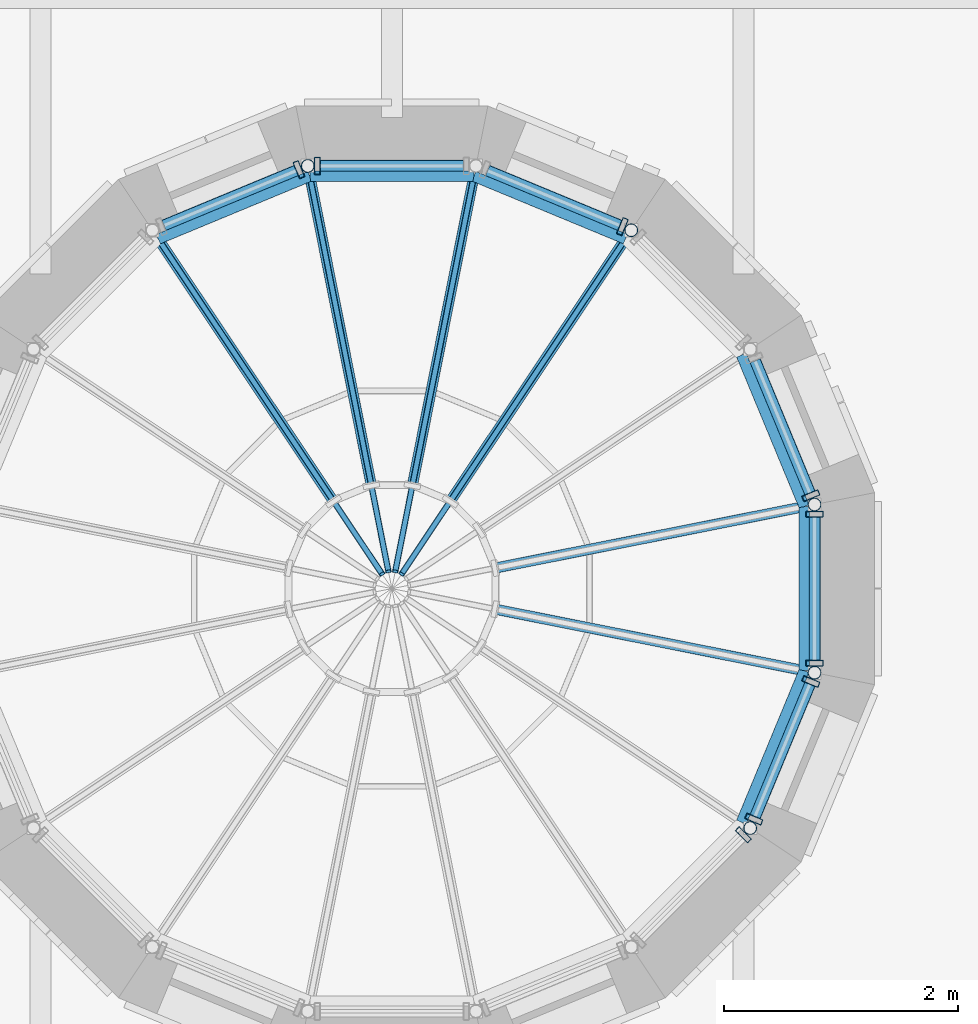
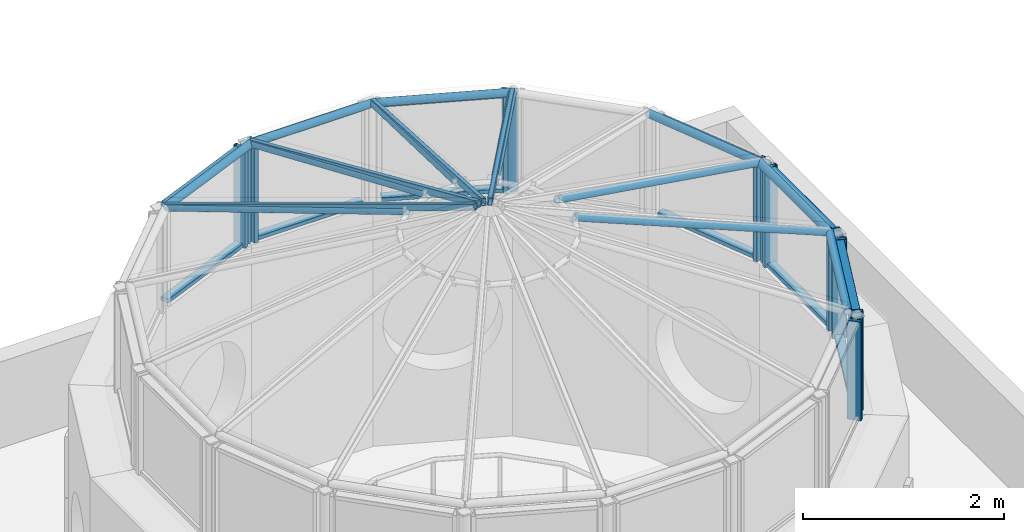
# One storey, part 18 of 98: 42 members, 7 elements without a shape of their own.
"""IFC4 building model written with IfcOpenShell, lengths in metres."""

from ifc_helpers import new_model, si_unit, direction, frame, origin, origin_2d, place, context, subcontext, project, spatial, hollow_rectangle, hollow_circle, extrude, material, material_profile, profile_set, type_object, element, aggregate, save


model = new_model("IFC4")

# Units and contexts
model_context = context("Model", 3, precision=1e-05, world=origin(), true_north=direction((0.0, 1.0)))
body_context = subcontext(model_context, "Body", "Model", "MODEL_VIEW")
ifc_project = project(units=[si_unit("LENGTHUNIT", "METRE"), si_unit("AREAUNIT", "SQUARE_METRE"), si_unit("VOLUMEUNIT", "CUBIC_METRE"), si_unit("PLANEANGLEUNIT", "RADIAN"), si_unit("MASSUNIT", "GRAM", prefix="KILO")], contexts=[model_context])

# Site, building, storey
site_placement = place(None, origin())
site = spatial("IfcSite", under=ifc_project, at=site_placement, CompositionType="ELEMENT")
building_placement = place(site_placement, origin())
building = spatial("IfcBuilding", under=site, at=building_placement, Name="Sun Court Science Centre", CompositionType="ELEMENT")
storey_placement = place(building_placement, frame((0.0, 0.0, 15.75)))
storey = spatial("IfcBuildingStorey", under=building, at=storey_placement, Name="L03", CompositionType="ELEMENT", Elevation=15.75)

# Curtain wall, member
ifc_material_1 = material(Name="Aluminium EN AW-6063 T6", Category="aluminium")
curtain_wall_type = type_object("IfcCurtainWallType", Name="Lantern clerestory curtain wall 1500", PredefinedType="NOTDEFINED", material=ifc_material_1)
curtain_wall_1_placement = place(storey_placement, origin())
curtain_wall_1 = element("IfcCurtainWall", 1, at=curtain_wall_1_placement, inside=storey, type_object=curtain_wall_type, Name="Curtain wall V2 C6 clerestory L03 01", PredefinedType="NOTDEFINED")
ifc_material_2 = material(Name="Aluminium EN AW-6063 T6", Category="aluminium")
ifc_material_profile_1 = material_profile(ifc_material_2, hollow_rectangle(XDim=0.050048828125, YDim=0.14990234375, WallThickness=0.00390625, InnerFilletRadius=0.00390625, OuterFilletRadius=0.006103515625, at=origin_2d()), Name="AL 50x150x4")
ifc_profile_set_1 = profile_set([ifc_material_profile_1], Name="Aluminium EN AW-6063 T6")
member_type_1 = type_object("IfcMemberType", Name="Curtain wall mullion AL 50x150", PredefinedType="MULLION", material=ifc_profile_set_1)
member_1_placement = place(storey_placement, frame((69.576171875, 23.29345703125, 3.050048828125), z_axis=(0.0, 0.0, 1.0), x_axis=(0.382683432365, -0.923879532511, 0.0)))
member_1 = element("IfcMember", 2, at=member_1_placement, type_object=member_type_1, Name="CW4-81 mullion 2", PredefinedType="MULLION", context=body_context, shape_type="SweptSolid", body=[
    extrude(hollow_rectangle(XDim=0.050048828125, YDim=0.14990234375, WallThickness=0.00390625, InnerFilletRadius=0.00390625, OuterFilletRadius=0.006103515625, at=origin_2d()), origin(), (0.0, 0.0, 1.0), 1.199951171875),
])

curtain_wall_2_placement = place(storey_placement, origin())
curtain_wall_2 = element("IfcCurtainWall", 3, at=curtain_wall_2_placement, inside=storey, type_object=curtain_wall_type, Name="Curtain wall V2 C6 clerestory L03 03", PredefinedType="NOTDEFINED")
member_2_placement = place(storey_placement, frame((67.967529296875, 25.58984375, 3.050048828125), z_axis=(0.0, 0.0, 1.0), x_axis=(0.923879532511, -0.382683432365, 0.0)))
member_2 = element("IfcMember", 4, at=member_2_placement, type_object=member_type_1, Name="CW4-83 mullion 2", PredefinedType="MULLION", context=body_context, shape_type="SweptSolid", body=[
    extrude(hollow_rectangle(XDim=0.050048828125, YDim=0.14990234375, WallThickness=0.00390625, InnerFilletRadius=0.00390625, OuterFilletRadius=0.006103515625, at=origin_2d()), origin(), (0.0, 0.0, 1.0), 1.199951171875),
])

curtain_wall_3_placement = place(storey_placement, origin())
curtain_wall_3 = element("IfcCurtainWall", 5, at=curtain_wall_3_placement, inside=storey, type_object=curtain_wall_type, Name="Curtain wall V2 C6 clerestory L03 04", PredefinedType="NOTDEFINED")
member_3_placement = place(storey_placement, frame((65.364501953125, 26.107666015625, 3.050048828125), z_axis=(0.0, 0.0, 1.0), x_axis=(1.0, 0.0, 0.0)))
member_3 = element("IfcMember", 6, at=member_3_placement, type_object=member_type_1, Name="CW4-84 mullion 1", PredefinedType="MULLION", context=body_context, shape_type="SweptSolid", body=[
    extrude(hollow_rectangle(XDim=0.050048828125, YDim=0.14990234375, WallThickness=0.00390625, InnerFilletRadius=0.00390625, OuterFilletRadius=0.006103515625, at=origin_2d()), origin(), (0.0, 0.0, 1.0), 1.199951171875),
])

curtain_wall_4_placement = place(storey_placement, origin())
curtain_wall_4 = element("IfcCurtainWall", 7, at=curtain_wall_4_placement, inside=storey, type_object=curtain_wall_type, Name="Curtain wall V2 C6 clerestory L03 05", PredefinedType="NOTDEFINED")
member_4_placement = place(storey_placement, frame((65.20654296875, 26.076171875, 3.050048828125), z_axis=(0.0, 0.0, 1.0), x_axis=(0.923879532511, 0.382683432365, 0.0)))
member_4 = element("IfcMember", 8, at=member_4_placement, type_object=member_type_1, Name="CW4-85 mullion 2", PredefinedType="MULLION", context=body_context, shape_type="SweptSolid", body=[
    extrude(hollow_rectangle(XDim=0.050048828125, YDim=0.14990234375, WallThickness=0.00390625, InnerFilletRadius=0.00390625, OuterFilletRadius=0.006103515625, at=origin_2d()), origin(), (0.0, 0.0, 1.0), 1.199951171875),
])

curtain_wall_5_placement = place(storey_placement, origin())
curtain_wall_5 = element("IfcCurtainWall", 9, at=curtain_wall_5_placement, inside=storey, type_object=curtain_wall_type, Name="Curtain wall V2 C6 clerestory L03 14", PredefinedType="NOTDEFINED")
member_5_placement = place(storey_placement, frame((69.000244140625, 20.3984375, 3.050048828125), z_axis=(0.0, 0.0, 1.0), x_axis=(-0.707106781187, -0.707106781187, 0.0)))
member_5 = element("IfcMember", 10, at=member_5_placement, type_object=member_type_1, Name="CW4-94 mullion 1", PredefinedType="MULLION", context=body_context, shape_type="SweptSolid", body=[
    extrude(hollow_rectangle(XDim=0.050048828125, YDim=0.14990234375, WallThickness=0.00390625, InnerFilletRadius=0.00390625, OuterFilletRadius=0.006103515625, at=origin_2d()), origin(), (0.0, 0.0, 1.0), 1.199951171875),
])
aggregate(curtain_wall_5, [member_5])

# Curtain wall, members
curtain_wall_6_placement = place(storey_placement, origin())
curtain_wall_6 = element("IfcCurtainWall", 11, at=curtain_wall_6_placement, inside=storey, type_object=curtain_wall_type, Name="Curtain wall V2 C6 clerestory L03 15", PredefinedType="NOTDEFINED")
member_6_placement = place(storey_placement, frame((69.08984375, 20.532470703125, 3.050048828125), z_axis=(0.0, 0.0, 1.0), x_axis=(-0.382683432365, -0.923879532511, 0.0)))
member_6 = element("IfcMember", 12, at=member_6_placement, type_object=member_type_1, Name="CW4-95 mullion 2", PredefinedType="MULLION", context=body_context, shape_type="SweptSolid", body=[
    extrude(hollow_rectangle(XDim=0.050048828125, YDim=0.14990234375, WallThickness=0.00390625, InnerFilletRadius=0.00390625, OuterFilletRadius=0.006103515625, at=origin_2d()), origin(), (0.0, 0.0, 1.0), 1.199951171875),
])
member_7_placement = place(storey_placement, frame((69.576171875, 21.70654296875, 3.050048828125), z_axis=(0.0, 0.0, 1.0), x_axis=(-0.382683432365, -0.923879532511, 0.0)))
member_7 = element("IfcMember", 13, at=member_7_placement, type_object=member_type_1, Name="CW4-95 mullion 1", PredefinedType="MULLION", context=body_context, shape_type="SweptSolid", body=[
    extrude(hollow_rectangle(XDim=0.050048828125, YDim=0.14990234375, WallThickness=0.00390625, InnerFilletRadius=0.00390625, OuterFilletRadius=0.006103515625, at=origin_2d()), origin(), (0.0, 0.0, 1.0), 1.199951171875),
])

curtain_wall_7_placement = place(storey_placement, origin())
curtain_wall_7 = element("IfcCurtainWall", 14, at=curtain_wall_7_placement, inside=storey, type_object=curtain_wall_type, Name="Curtain wall V2 C6 clerestory L03 16", PredefinedType="NOTDEFINED")
member_8_placement = place(storey_placement, frame((69.607666015625, 21.864501953125, 3.050048828125), z_axis=(0.0, 0.0, 1.0), x_axis=(0.0, -1.0, 0.0)))
member_8 = element("IfcMember", 15, at=member_8_placement, type_object=member_type_1, Name="CW4-96 mullion 2", PredefinedType="MULLION", context=body_context, shape_type="SweptSolid", body=[
    extrude(hollow_rectangle(XDim=0.050048828125, YDim=0.14990234375, WallThickness=0.00390625, InnerFilletRadius=0.00390625, OuterFilletRadius=0.006103515625, at=origin_2d()), origin(), (0.0, 0.0, 1.0), 1.199951171875),
])
member_9_placement = place(storey_placement, frame((69.607666015625, 23.135498046875, 3.050048828125), z_axis=(0.0, 0.0, 1.0), x_axis=(0.0, -1.0, 0.0)))
member_9 = element("IfcMember", 16, at=member_9_placement, type_object=member_type_1, Name="CW4-96 mullion 1", PredefinedType="MULLION", context=body_context, shape_type="SweptSolid", body=[
    extrude(hollow_rectangle(XDim=0.050048828125, YDim=0.14990234375, WallThickness=0.00390625, InnerFilletRadius=0.00390625, OuterFilletRadius=0.006103515625, at=origin_2d()), origin(), (0.0, 0.0, 1.0), 1.199951171875),
])

# Member
ifc_material_3 = material(Name="Aluminium EN AW-6063 T6", Category="aluminium")
ifc_material_profile_2 = material_profile(ifc_material_3, hollow_rectangle(XDim=0.050048828125, YDim=0.10009765625, WallThickness=0.00390625, InnerFilletRadius=0.00390625, OuterFilletRadius=0.006103515625, at=origin_2d()), Name="AL 50x100x4")
ifc_profile_set_2 = profile_set([ifc_material_profile_2], Name="Aluminium EN AW-6063 T6")
member_type_2 = type_object("IfcMemberType", Name="Curtain wall transom AL 50x100", PredefinedType="USERDEFINED", material=ifc_profile_set_2)
member_10_placement = place(storey_placement, frame((69.099365234375, 24.444580078125, 3.074951171875), z_axis=(0.38274032778, -0.923855963606, 0.0), x_axis=(0.0, 0.0, 1.0)))
member_10 = element("IfcMember", 17, at=member_10_placement, type_object=member_type_2, Name="CW4-81 transom 1.1", ObjectType="TRANSOM", PredefinedType="USERDEFINED", context=body_context, shape_type="SweptSolid", body=[
    extrude(hollow_rectangle(XDim=0.050048828125, YDim=0.10009765625, WallThickness=0.00390625, InnerFilletRadius=0.00390625, OuterFilletRadius=0.006103515625, at=origin_2d()), origin(), (0.0, 0.0, 1.0), 1.220947265625),
])

member_11_placement = place(storey_placement, frame((69.099365234375, 24.444580078125, 4.22509765625), z_axis=(0.38274032778, -0.923855963606, 0.0), x_axis=(0.0, 0.0, 1.0)))
member_11 = element("IfcMember", 18, at=member_11_placement, type_object=member_type_2, Name="CW4-81 transom 1.2", ObjectType="TRANSOM", PredefinedType="USERDEFINED", context=body_context, shape_type="SweptSolid", body=[
    extrude(hollow_rectangle(XDim=0.050048828125, YDim=0.10009765625, WallThickness=0.00390625, InnerFilletRadius=0.00390625, OuterFilletRadius=0.006103515625, at=origin_2d()), origin(), (0.0, 0.0, 1.0), 1.220947265625),
])

aggregate(curtain_wall_1, [member_1, member_10, member_11])

member_12_placement = place(storey_placement, frame((66.816650390625, 26.066650390625, 3.074951171875), z_axis=(0.923855963606, -0.38274032778, 0.0), x_axis=(0.0, 0.0, 1.0)))
member_12 = element("IfcMember", 19, at=member_12_placement, type_object=member_type_2, Name="CW4-83 transom 1.1", ObjectType="TRANSOM", PredefinedType="USERDEFINED", context=body_context, shape_type="SweptSolid", body=[
    extrude(hollow_rectangle(XDim=0.050048828125, YDim=0.10009765625, WallThickness=0.00390625, InnerFilletRadius=0.00390625, OuterFilletRadius=0.006103515625, at=origin_2d()), origin(), (0.0, 0.0, 1.0), 1.220947265625),
])

member_13_placement = place(storey_placement, frame((66.816650390625, 26.066650390625, 4.22509765625), z_axis=(0.923855963606, -0.38274032778, 0.0), x_axis=(0.0, 0.0, 1.0)))
member_13 = element("IfcMember", 20, at=member_13_placement, type_object=member_type_2, Name="CW4-83 transom 1.2", ObjectType="TRANSOM", PredefinedType="USERDEFINED", context=body_context, shape_type="SweptSolid", body=[
    extrude(hollow_rectangle(XDim=0.050048828125, YDim=0.10009765625, WallThickness=0.00390625, InnerFilletRadius=0.00390625, OuterFilletRadius=0.006103515625, at=origin_2d()), origin(), (0.0, 0.0, 1.0), 1.220947265625),
])

aggregate(curtain_wall_2, [member_2, member_12, member_13])

member_14_placement = place(storey_placement, frame((65.3896484375, 26.107666015625, 3.074951171875), z_axis=(1.0, 0.0, 0.0), x_axis=(0.0, 0.0, 1.0)))
member_14 = element("IfcMember", 21, at=member_14_placement, type_object=member_type_2, Name="CW4-84 transom 1.1", ObjectType="TRANSOM", PredefinedType="USERDEFINED", context=body_context, shape_type="SweptSolid", body=[
    extrude(hollow_rectangle(XDim=0.050048828125, YDim=0.10009765625, WallThickness=0.00390625, InnerFilletRadius=0.00390625, OuterFilletRadius=0.006103515625, at=origin_2d()), origin(), (0.0, 0.0, 1.0), 1.220703125),
])

member_15_placement = place(storey_placement, frame((65.3896484375, 26.107666015625, 4.22509765625), z_axis=(1.0, 0.0, 0.0), x_axis=(0.0, 0.0, 1.0)))
member_15 = element("IfcMember", 22, at=member_15_placement, type_object=member_type_2, Name="CW4-84 transom 1.2", ObjectType="TRANSOM", PredefinedType="USERDEFINED", context=body_context, shape_type="SweptSolid", body=[
    extrude(hollow_rectangle(XDim=0.050048828125, YDim=0.10009765625, WallThickness=0.00390625, InnerFilletRadius=0.00390625, OuterFilletRadius=0.006103515625, at=origin_2d()), origin(), (0.0, 0.0, 1.0), 1.220703125),
])

aggregate(curtain_wall_3, [member_3, member_14, member_15])

member_16_placement = place(storey_placement, frame((64.055419921875, 25.599365234375, 3.074951171875), z_axis=(0.923855963606, 0.38274032778, 0.0), x_axis=(0.0, 0.0, 1.0)))
member_16 = element("IfcMember", 23, at=member_16_placement, type_object=member_type_2, Name="CW4-85 transom 1.1", ObjectType="TRANSOM", PredefinedType="USERDEFINED", context=body_context, shape_type="SweptSolid", body=[
    extrude(hollow_rectangle(XDim=0.050048828125, YDim=0.10009765625, WallThickness=0.00390625, InnerFilletRadius=0.00390625, OuterFilletRadius=0.006103515625, at=origin_2d()), origin(), (0.0, 0.0, 1.0), 1.220947265625),
])

member_17_placement = place(storey_placement, frame((64.055419921875, 25.599365234375, 4.22509765625), z_axis=(0.923855963606, 0.38274032778, 0.0), x_axis=(0.0, 0.0, 1.0)))
member_17 = element("IfcMember", 24, at=member_17_placement, type_object=member_type_2, Name="CW4-85 transom 1.2", ObjectType="TRANSOM", PredefinedType="USERDEFINED", context=body_context, shape_type="SweptSolid", body=[
    extrude(hollow_rectangle(XDim=0.050048828125, YDim=0.10009765625, WallThickness=0.00390625, InnerFilletRadius=0.00390625, OuterFilletRadius=0.006103515625, at=origin_2d()), origin(), (0.0, 0.0, 1.0), 1.220947265625),
])

aggregate(curtain_wall_4, [member_4, member_16, member_17])

member_18_placement = place(storey_placement, frame((69.566650390625, 21.683349609375, 3.074951171875), z_axis=(-0.38274032778, -0.923855963606, 0.0), x_axis=(0.0, 0.0, 1.0)))
member_18 = element("IfcMember", 25, at=member_18_placement, type_object=member_type_2, Name="CW4-95 transom 1.1", ObjectType="TRANSOM", PredefinedType="USERDEFINED", context=body_context, shape_type="SweptSolid", body=[
    extrude(hollow_rectangle(XDim=0.050048828125, YDim=0.10009765625, WallThickness=0.00390625, InnerFilletRadius=0.00390625, OuterFilletRadius=0.006103515625, at=origin_2d()), origin(), (0.0, 0.0, 1.0), 1.220947265625),
])

member_19_placement = place(storey_placement, frame((69.566650390625, 21.683349609375, 4.22509765625), z_axis=(-0.38274032778, -0.923855963606, 0.0), x_axis=(0.0, 0.0, 1.0)))
member_19 = element("IfcMember", 26, at=member_19_placement, type_object=member_type_2, Name="CW4-95 transom 1.2", ObjectType="TRANSOM", PredefinedType="USERDEFINED", context=body_context, shape_type="SweptSolid", body=[
    extrude(hollow_rectangle(XDim=0.050048828125, YDim=0.10009765625, WallThickness=0.00390625, InnerFilletRadius=0.00390625, OuterFilletRadius=0.006103515625, at=origin_2d()), origin(), (0.0, 0.0, 1.0), 1.220947265625),
])

aggregate(curtain_wall_6, [member_6, member_7, member_18, member_19])

member_20_placement = place(storey_placement, frame((69.607666015625, 23.1103515625, 3.074951171875), z_axis=(0.0, -1.0, 0.0), x_axis=(0.0, 0.0, 1.0)))
member_20 = element("IfcMember", 27, at=member_20_placement, type_object=member_type_2, Name="CW4-96 transom 1.1", ObjectType="TRANSOM", PredefinedType="USERDEFINED", context=body_context, shape_type="SweptSolid", body=[
    extrude(hollow_rectangle(XDim=0.050048828125, YDim=0.10009765625, WallThickness=0.00390625, InnerFilletRadius=0.00390625, OuterFilletRadius=0.006103515625, at=origin_2d()), origin(), (0.0, 0.0, 1.0), 1.220703125),
])

member_21_placement = place(storey_placement, frame((69.607666015625, 23.1103515625, 4.22509765625), z_axis=(0.0, -1.0, 0.0), x_axis=(0.0, 0.0, 1.0)))
member_21 = element("IfcMember", 28, at=member_21_placement, type_object=member_type_2, Name="CW4-96 transom 1.2", ObjectType="TRANSOM", PredefinedType="USERDEFINED", context=body_context, shape_type="SweptSolid", body=[
    extrude(hollow_rectangle(XDim=0.050048828125, YDim=0.10009765625, WallThickness=0.00390625, InnerFilletRadius=0.00390625, OuterFilletRadius=0.006103515625, at=origin_2d()), origin(), (0.0, 0.0, 1.0), 1.220703125),
])

aggregate(curtain_wall_7, [member_8, member_9, member_20, member_21])

# Members
ifc_material_4 = material(Name="Aluminium EN AW-6063 T6", Category="aluminium")
ifc_material_profile_3 = material_profile(ifc_material_4, hollow_rectangle(XDim=0.050048828125, YDim=0.080078125, WallThickness=0.00390625, InnerFilletRadius=0.00390625, OuterFilletRadius=0.006103515625, at=origin_2d()), Name="AL 50x80x4")
ifc_profile_set_3 = profile_set([ifc_material_profile_3], Name="Aluminium EN AW-6063 T6")
member_type_3 = type_object("IfcMemberType", Name="Glazing bar AL 50x80", PredefinedType="USERDEFINED", material=ifc_profile_set_3)
member_22_placement = place(storey_placement, frame((67.993408203125, 25.4833984375, 4.300048828125), z_axis=(-0.530783341902, -0.794343321873, 0.295444971112), x_axis=(0.831459891858, -0.555584780417, 0.0)))
element("IfcMember", 29, at=member_22_placement, inside=storey, type_object=member_type_3, Name="Lantern glazing bar cone 6 03", ObjectType="Glazing bar", PredefinedType="USERDEFINED", context=body_context, shape_type="SweptSolid", body=[
    extrude(hollow_rectangle(XDim=0.050048828125, YDim=0.080078125, WallThickness=0.00390625, InnerFilletRadius=0.00390625, OuterFilletRadius=0.006103515625, at=origin_2d()), origin(), (0.0, 0.0, 1.0), 3.5986328125),
])
for number, where, z_axis, x_axis, name in (
    (30, (66.699951171875, 26.019287109375, 4.300048828125), (-0.186356869857, -0.937008040213, 0.295443818066), (0.980790410831, -0.195064527842, 0.0), "Lantern glazing bar cone 6 04"),
    (31, (65.300048828125, 26.019287109375, 4.300048828125), (0.186356869857, -0.937008040213, 0.295443818066), (0.980790410831, 0.195064527842, 0.0), "Lantern glazing bar cone 6 05"),
):
    element("IfcMember", number, at=place(storey_placement, frame(where, z_axis=z_axis, x_axis=x_axis)), inside=storey, type_object=member_type_3, Name=name, ObjectType="Glazing bar", PredefinedType="USERDEFINED", context=body_context, shape_type="SweptSolid", body=[
        extrude(hollow_rectangle(XDim=0.050048828125, YDim=0.080078125, WallThickness=0.00390625, InnerFilletRadius=0.00390625, OuterFilletRadius=0.006103515625, at=origin_2d()), origin(), (0.0, 0.0, 1.0), 3.598876953125),
    ])
member_23_placement = place(storey_placement, frame((64.006591796875, 25.4833984375, 4.300048828125), z_axis=(0.530783341902, -0.794343321873, 0.295444971112), x_axis=(0.831459891858, 0.555584780417, 0.0)))
element("IfcMember", 32, at=member_23_placement, inside=storey, type_object=member_type_3, Name="Lantern glazing bar cone 6 06", ObjectType="Glazing bar", PredefinedType="USERDEFINED", context=body_context, shape_type="SweptSolid", body=[
    extrude(hollow_rectangle(XDim=0.050048828125, YDim=0.080078125, WallThickness=0.00390625, InnerFilletRadius=0.00390625, OuterFilletRadius=0.006103515625, at=origin_2d()), origin(), (0.0, 0.0, 1.0), 3.5986328125),
])
ifc_material_5 = material(Name="Steel S355", Category="steel")
ifc_material_profile_4 = material_profile(ifc_material_5, hollow_circle(Radius=0.04443359375, WallThickness=0.0048828125, at=origin_2d()), Name="CHS 88.9x5")
ifc_profile_set_4 = profile_set([ifc_material_profile_4], Name="Steel S355")
member_type_4 = type_object("IfcMemberType", Name="Lantern base ring CHS 88.9x5", PredefinedType="CHORD", material=ifc_profile_set_4)
for number, where, z_axis, x_axis, name in (
    (33, (69.519287109375, 23.199951171875, 4.29443359375), (-0.382757337134, 0.92384891669, 0.0), (-0.92384891669, -0.382757337134, 0.0), "Cone 6 lantern base ring 1"),
    (34, (67.993408203125, 25.4833984375, 4.29443359375), (-0.92384891669, 0.382757337134, 0.0), (-0.382757337134, -0.92384891669, 0.0), "Cone 6 lantern base ring 3"),
):
    element("IfcMember", number, at=place(storey_placement, frame(where, z_axis=z_axis, x_axis=x_axis)), inside=storey, type_object=member_type_4, Name=name, PredefinedType="CHORD", context=body_context, shape_type="SweptSolid", body=[
        extrude(hollow_circle(Radius=0.04443359375, WallThickness=0.0048828125, at=origin_2d()), origin(), (0.0, 0.0, 1.0), 1.400146484375),
    ])
member_24_placement = place(storey_placement, frame((66.699951171875, 26.019287109375, 4.29443359375), z_axis=(-1.0, 0.0, 0.0), x_axis=(0.0, -1.0, 0.0)))
element("IfcMember", 35, at=member_24_placement, inside=storey, type_object=member_type_4, Name="Cone 6 lantern base ring 4", PredefinedType="CHORD", context=body_context, shape_type="SweptSolid", body=[
    extrude(hollow_circle(Radius=0.04443359375, WallThickness=0.0048828125, at=origin_2d()), origin(), (0.0, 0.0, 1.0), 1.39990234375),
])
for number, where, z_axis, x_axis, name in (
    (36, (65.300048828125, 26.019287109375, 4.29443359375), (-0.92384891669, -0.382757337134, 0.0), (0.382757337134, -0.92384891669, 0.0), "Cone 6 lantern base ring 5"),
    (37, (68.9833984375, 20.506591796875, 4.29443359375), (0.382757337134, 0.92384891669, 0.0), (-0.92384891669, 0.382757337134, 0.0), "Cone 6 lantern base ring 15"),
):
    element("IfcMember", number, at=place(storey_placement, frame(where, z_axis=z_axis, x_axis=x_axis)), inside=storey, type_object=member_type_4, Name=name, PredefinedType="CHORD", context=body_context, shape_type="SweptSolid", body=[
        extrude(hollow_circle(Radius=0.04443359375, WallThickness=0.0048828125, at=origin_2d()), origin(), (0.0, 0.0, 1.0), 1.400146484375),
    ])
member_25_placement = place(storey_placement, frame((69.519287109375, 21.800048828125, 4.29443359375), z_axis=(0.0, 1.0, 0.0), x_axis=(-1.0, 0.0, 0.0)))
element("IfcMember", 38, at=member_25_placement, inside=storey, type_object=member_type_4, Name="Cone 6 lantern base ring 16", PredefinedType="CHORD", context=body_context, shape_type="SweptSolid", body=[
    extrude(hollow_circle(Radius=0.04443359375, WallThickness=0.0048828125, at=origin_2d()), origin(), (0.0, 0.0, 1.0), 1.39990234375),
])
ifc_material_6 = material(Name="Steel S355", Category="steel")
ifc_material_profile_5 = material_profile(ifc_material_6, hollow_circle(Radius=0.05712890625, WallThickness=0.00634765625, at=origin_2d()), Name="CHS 114.3x6.3")
ifc_profile_set_5 = profile_set([ifc_material_profile_5], Name="Steel S355")
member_type_5 = type_object("IfcMemberType", Name="Lantern post CHS 114.3x6.3", PredefinedType="POST", material=ifc_profile_set_5)
for number, where, z_axis, x_axis, name in (
    (39, (69.607666015625, 23.217529296875, 3.050048828125), (0.0, 0.0, 1.0), (1.0, 0.0, 0.0), "Cone 6 clerestory post 1"),
    (40, (68.04345703125, 25.558349609375, 3.050048828125), (0.0, 0.0, 1.0), (1.0, 0.0, 0.0), "Cone 6 clerestory post 3"),
    (41, (65.282470703125, 26.107666015625, 3.050048828125), (0.0, 0.0, 1.0), (1.0, 0.0, 0.0), "Cone 6 clerestory post 5"),
    (42, (69.058349609375, 20.45654296875, 3.050048828125), (0.0, 0.0, 1.0), (1.0, 0.0, 0.0), "Cone 6 clerestory post 15"),
    (43, (69.607666015625, 21.782470703125, 3.050048828125), (0.0, 0.0, 1.0), (1.0, 0.0, 0.0), "Cone 6 clerestory post 16"),
):
    element("IfcMember", number, at=place(storey_placement, frame(where, z_axis=z_axis, x_axis=x_axis)), inside=storey, type_object=member_type_5, Name=name, PredefinedType="POST", context=body_context, shape_type="SweptSolid", body=[
        extrude(hollow_circle(Radius=0.05712890625, WallThickness=0.00634765625, at=origin_2d()), origin(), (0.0, 0.0, 1.0), 1.199951171875),
    ])
ifc_material_7 = material(Name="Steel S355", Category="steel")
ifc_material_profile_6 = material_profile(ifc_material_7, hollow_circle(Radius=0.04443359375, WallThickness=0.0048828125, at=origin_2d()), Name="CHS 88.9x5")
ifc_profile_set_6 = profile_set([ifc_material_profile_6], Name="Steel S355")
member_type_6 = type_object("IfcMemberType", Name="Lantern rafter CHS 88.9x5", PredefinedType="RAFTER", material=ifc_profile_set_6)
for number, where, z_axis, x_axis, name in (
    (44, (69.519287109375, 23.199951171875, 4.29443359375), (-0.941288042748, -0.187229068971, 0.280930767828), (0.195085547037, -0.980786230193, 0.0), "Cone 6 lantern rafter 1"),
    (45, (67.993408203125, 25.4833984375, 4.29443359375), (-0.533185654643, -0.797991608347, 0.280931398548), (0.831476972291, -0.55555921786, 0.0), "Cone 6 lantern rafter 3"),
    (46, (66.699951171875, 26.019287109375, 4.29443359375), (-0.187229068971, -0.941288042748, 0.280930767828), (0.980786230193, -0.195085547037, 0.0), "Cone 6 lantern rafter 4"),
    (47, (65.300048828125, 26.019287109375, 4.29443359375), (0.187229068971, -0.941288042748, 0.280930767828), (0.980786230193, 0.195085547037, 0.0), "Cone 6 lantern rafter 5"),
    (48, (64.006591796875, 25.4833984375, 4.29443359375), (0.533185654643, -0.797991608347, 0.280931398548), (0.831476972291, 0.55555921786, 0.0), "Cone 6 lantern rafter 6"),
    (49, (69.519287109375, 21.800048828125, 4.29443359375), (-0.941288042748, 0.187229068971, 0.280930767828), (-0.195085547037, -0.980786230193, 0.0), "Cone 6 lantern rafter 16"),
):
    element("IfcMember", number, at=place(storey_placement, frame(where, z_axis=z_axis, x_axis=x_axis)), inside=storey, type_object=member_type_6, Name=name, PredefinedType="RAFTER", context=body_context, shape_type="SweptSolid", body=[
        extrude(hollow_circle(Radius=0.04443359375, WallThickness=0.0048828125, at=origin_2d()), origin(), (0.0, 0.0, 1.0), 2.801025390625),
    ])

save(model, "model.ifc")
